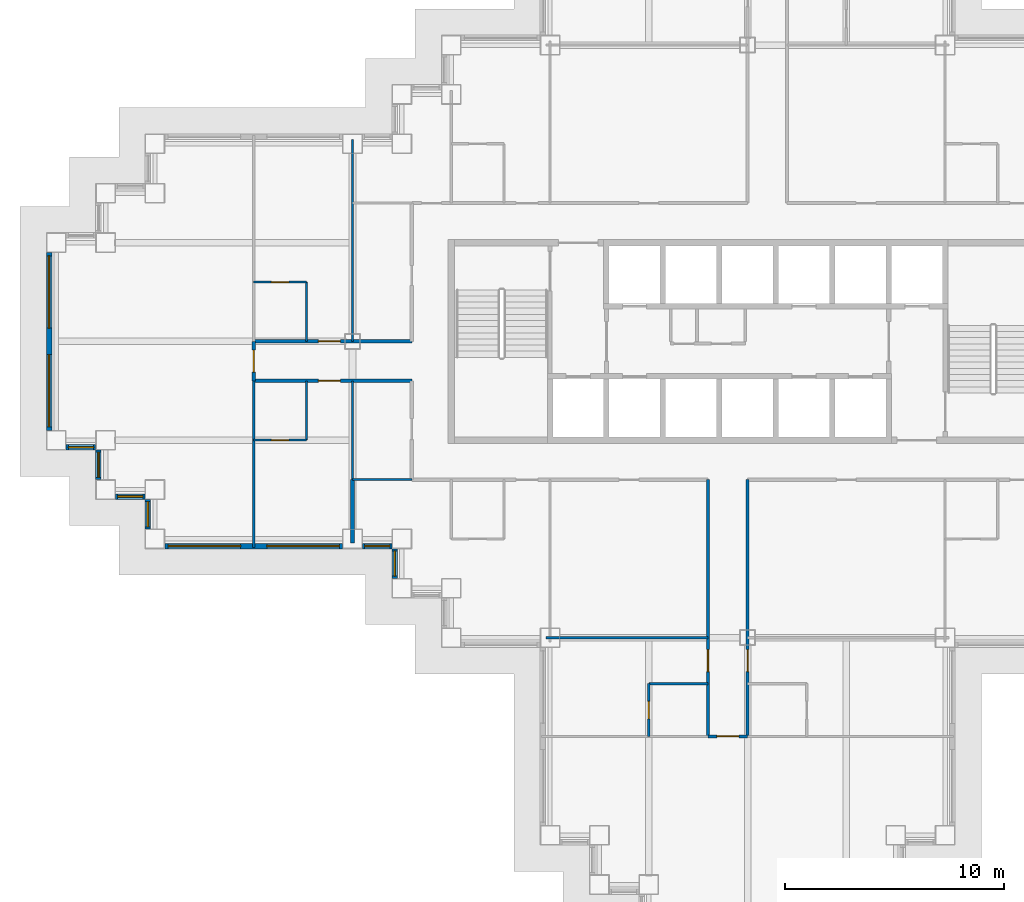
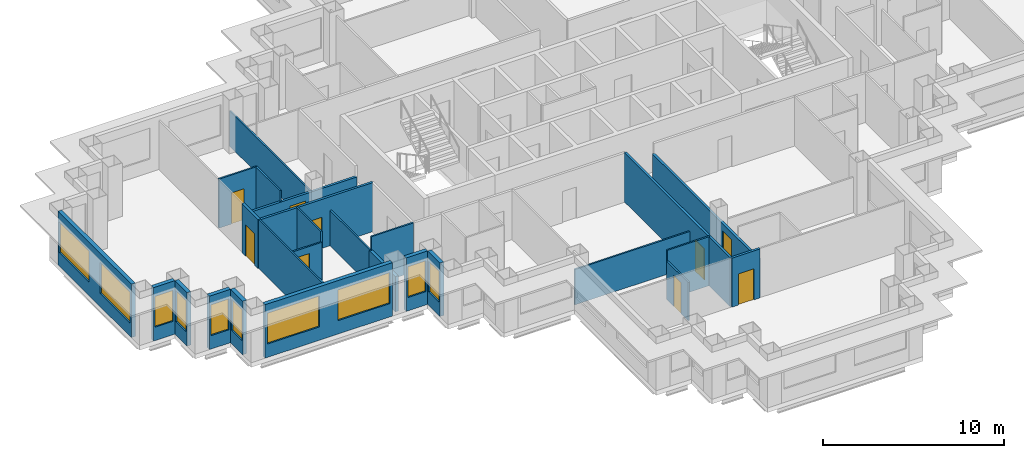
# One storey, part 3 of 14: 26 walls, 10 windows, 9 doors, 19 openings.
"""IFC4 building model written with IfcOpenShell, lengths in metres."""

from ifc_helpers import new_model, si_unit, direction, frame, frame_2d, origin, place, context, subcontext, project, spatial, rectangle, extrude, material, layer, layer_set, type_object, element, fill, save


model = new_model("IFC4")

# Units and contexts
model_context = context("Model", 3, precision=1e-05, world=origin(), true_north=direction((0.0, 1.0)))
body_context = subcontext(model_context, "Body", "Model", "MODEL_VIEW")
ifc_project = project(units=[si_unit("LENGTHUNIT", "METRE"), si_unit("AREAUNIT", "SQUARE_METRE"), si_unit("VOLUMEUNIT", "CUBIC_METRE"), si_unit("PLANEANGLEUNIT", "RADIAN"), si_unit("MASSUNIT", "GRAM", prefix="KILO")], contexts=[model_context])

# Site, building, storey
site_placement = place(None, origin())
site = spatial("IfcSite", under=ifc_project, at=site_placement, CompositionType="ELEMENT")
building_placement = place(site_placement, origin())
building = spatial("IfcBuilding", under=site, at=building_placement, Name="Caravel Reach Hotel and Residences", CompositionType="ELEMENT")
storey_placement = place(building_placement, frame((0.0, 0.0, 118.800048828125)))
storey = spatial("IfcBuildingStorey", under=building, at=storey_placement, Name="L29", CompositionType="ELEMENT", Elevation=118.800048828125)

# Wall
ifc_material_1 = material(Name="Gypsum board on steel stud", Category="steel")
ifc_layer_1 = layer(ifc_material_1, 0.10009765625)
ifc_layer_set_1 = layer_set([ifc_layer_1], Name="Bathroom pod wall 100 mm")
wall_type_1 = type_object("IfcWallType", Name="Bathroom pod wall 100 mm", PredefinedType="PARTITIONING", material=ifc_layer_set_1)
wall_1_placement = place(storey_placement, frame((27.0, 11.39990234375, 0.0), z_axis=(0.0, 0.0, 1.0), x_axis=(1.0, 0.0, 0.0)))
element("IfcWall", 1, at=wall_1_placement, inside=storey, type_object=wall_type_1, Name="L29 wall w068", PredefinedType="PARTITIONING", context=body_context, shape_type="SweptSolid", body=[
    extrude(rectangle(XDim=2.699951171875, YDim=0.10009765625, at=frame_2d((1.35009765625, 0.0))), origin(), (0.0, 0.0, 1.0), 3.300048828125),
])

# Wall, opening, door
wall_2_placement = place(storey_placement, frame((9.0, 22.5, 0.0), z_axis=(0.0, 0.0, 1.0), x_axis=(1.0, 0.0, 0.0)))
wall_2 = element("IfcWall", 2, at=wall_2_placement, inside=storey, type_object=wall_type_1, Name="L29 wall w071", PredefinedType="PARTITIONING", context=body_context, shape_type="SweptSolid", body=[
    extrude(rectangle(XDim=2.39990234375, YDim=0.10009765625, at=frame_2d((1.199951171875, 0.0))), origin(), (0.0, 0.0, 1.0), 2.579833984375),
])
opening_1_placement = place(wall_2_placement, frame((0.800048828125, 0.0, 0.0)))
opening_1 = element("IfcOpeningElement", 3, at=opening_1_placement, cuts=wall_2, Name="Opening D29-017", PredefinedType="OPENING", context=body_context, shape_type="SweptSolid", body=[
    extrude(rectangle(XDim=0.800048828125, YDim=2.10009765625, at=frame_2d((0.39990234375, 1.050048828125))), frame((0.0, 0.06005859375, 0.0), z_axis=(0.0, -1.0, 0.0), x_axis=(1.0, 0.0, 0.0)), (0.0, 0.0, 1.0), 0.1201171875),
])
ifc_material_2 = material(Name="Timber and steel door leaf", Category="steel")
door_type_1 = type_object("IfcDoorType", Name="Bathroom door 800 x 2100", OperationType="SINGLE_SWING_LEFT", PredefinedType="DOOR", material=ifc_material_2)
door_1_placement = place(opening_1_placement, origin())
door_1 = element("IfcDoor", 4, at=door_1_placement, inside=storey, type_object=door_type_1, Name="door D29-017", OperationType="SINGLE_SWING_RIGHT", OverallHeight=2.10009765625, OverallWidth=0.800048828125, PredefinedType="DOOR", context=body_context, shape_type="SweptSolid", body=[
    extrude(rectangle(XDim=0.800048828125, YDim=2.10009765625, at=frame_2d((0.39990234375, 1.050048828125))), frame((0.0, 0.02490234375, 0.0), z_axis=(0.0, -1.0, 0.0), x_axis=(1.0, 0.0, 0.0)), (0.0, 0.0, 1.0), 0.050048828125),
])
fill(opening_1, door_1)

wall_3_placement = place(storey_placement, frame((9.0, 29.699951171875, 0.0), z_axis=(0.0, 0.0, 1.0), x_axis=(1.0, 0.0, 0.0)))
wall_3 = element("IfcWall", 5, at=wall_3_placement, inside=storey, type_object=wall_type_1, Name="L29 wall w073", PredefinedType="PARTITIONING", context=body_context, shape_type="SweptSolid", body=[
    extrude(rectangle(XDim=2.39990234375, YDim=0.10009765625, at=frame_2d((1.199951171875, 0.0))), origin(), (0.0, 0.0, 1.0), 3.300048828125),
])
opening_2_placement = place(wall_3_placement, frame((0.800048828125, 0.0, 0.0)))
opening_2 = element("IfcOpeningElement", 6, at=opening_2_placement, cuts=wall_3, Name="Opening D29-019", PredefinedType="OPENING", context=body_context, shape_type="SweptSolid", body=[
    extrude(rectangle(XDim=0.800048828125, YDim=2.10009765625, at=frame_2d((0.39990234375, 1.050048828125))), frame((0.0, 0.06005859375, 0.0), z_axis=(0.0, -1.0, 0.0), x_axis=(1.0, 0.0, 0.0)), (0.0, 0.0, 1.0), 0.1201171875),
])
door_2_placement = place(opening_2_placement, origin())
door_2 = element("IfcDoor", 7, at=door_2_placement, inside=storey, type_object=door_type_1, Name="door D29-019", OperationType="SINGLE_SWING_LEFT", OverallHeight=2.10009765625, OverallWidth=0.800048828125, PredefinedType="DOOR", context=body_context, shape_type="SweptSolid", body=[
    extrude(rectangle(XDim=0.800048828125, YDim=2.10009765625, at=frame_2d((0.39990234375, 1.050048828125))), frame((0.0, 0.02490234375, 0.0), z_axis=(0.0, -1.0, 0.0), x_axis=(1.0, 0.0, 0.0)), (0.0, 0.0, 1.0), 0.050048828125),
])
fill(opening_2, door_2)

# Walls
for number, where, z_axis, x_axis, name in (
    (8, (11.39990234375, 27.0, 0.0), (0.0, 0.0, 1.0), (0.0, 1.0, 0.0), "L29 wall w080"),
    (9, (11.39990234375, 22.5, 0.0), (0.0, 0.0, 1.0), (0.0, 1.0, 0.0), "L29 wall w081"),
):
    element("IfcWall", number, at=place(storey_placement, frame(where, z_axis=z_axis, x_axis=x_axis)), inside=storey, type_object=wall_type_1, Name=name, PredefinedType="PARTITIONING", context=body_context, shape_type="SweptSolid", body=[
        extrude(rectangle(XDim=2.699951171875, YDim=0.10009765625, at=frame_2d((1.35009765625, 0.0))), origin(), (0.0, 0.0, 1.0), 3.300048828125),
    ])

# Wall, opening, door
wall_4_placement = place(storey_placement, frame((27.0, 9.0, 0.0), z_axis=(0.0, 0.0, 1.0), x_axis=(0.0, 1.0, 0.0)))
wall_4 = element("IfcWall", 10, at=wall_4_placement, inside=storey, type_object=wall_type_1, Name="L29 wall w085", PredefinedType="PARTITIONING", context=body_context, shape_type="SweptSolid", body=[
    extrude(rectangle(XDim=2.39990234375, YDim=0.10009765625, at=frame_2d((1.199951171875, 0.0))), origin(), (0.0, 0.0, 1.0), 2.579833984375),
])
opening_3_placement = place(wall_4_placement, frame((0.800048828125, 0.0, 0.0)))
opening_3 = element("IfcOpeningElement", 11, at=opening_3_placement, cuts=wall_4, Name="Opening D29-032", PredefinedType="OPENING", context=body_context, shape_type="SweptSolid", body=[
    extrude(rectangle(XDim=0.800048828125, YDim=2.10009765625, at=frame_2d((0.39990234375, 1.050048828125))), frame((0.0, 0.06005859375, 0.0), z_axis=(0.0, -1.0, 0.0), x_axis=(1.0, 0.0, 0.0)), (0.0, 0.0, 1.0), 0.1201171875),
])
door_3_placement = place(opening_3_placement, origin())
door_3 = element("IfcDoor", 12, at=door_3_placement, inside=storey, type_object=door_type_1, Name="door D29-032", OperationType="SINGLE_SWING_RIGHT", OverallHeight=2.10009765625, OverallWidth=0.800048828125, PredefinedType="DOOR", context=body_context, shape_type="SweptSolid", body=[
    extrude(rectangle(XDim=0.800048828125, YDim=2.10009765625, at=frame_2d((0.39990234375, 1.050048828125))), frame((0.0, 0.02490234375, 0.0), z_axis=(0.0, -1.0, 0.0), x_axis=(1.0, 0.0, 0.0)), (0.0, 0.0, 1.0), 0.050048828125),
])
fill(opening_3, door_3)

ifc_material_3 = material(Name="Gypsum board on steel stud, fire-rated", Category="steel")
ifc_layer_2 = layer(ifc_material_3, 0.14990234375)
ifc_layer_set_2 = layer_set([ifc_layer_2], Name="Corridor wall 150 mm EI 60")
wall_type_2 = type_object("IfcWallType", Name="Corridor wall 150 mm EI 60", PredefinedType="PARTITIONING", material=ifc_layer_set_2)
wall_5_placement = place(storey_placement, frame((9.0, 25.199951171875, 0.0), z_axis=(0.0, 0.0, 1.0), x_axis=(1.0, 0.0, 0.0)))
wall_5 = element("IfcWall", 13, at=wall_5_placement, inside=storey, type_object=wall_type_2, Name="L29 wall w006", PredefinedType="PARTITIONING", context=body_context, shape_type="SweptSolid", body=[
    extrude(rectangle(XDim=7.199951171875, YDim=0.14990234375, at=frame_2d((3.60009765625, 0.0))), origin(), (0.0, 0.0, 1.0), 3.300048828125),
])
opening_4_placement = place(wall_5_placement, frame((2.949951171875, 0.0, 0.0)))
opening_4 = element("IfcOpeningElement", 14, at=opening_4_placement, cuts=wall_5, Name="Opening D29-016", PredefinedType="OPENING", context=body_context, shape_type="SweptSolid", body=[
    extrude(rectangle(XDim=1.0, YDim=2.10009765625, at=frame_2d((0.5, 1.050048828125))), frame((0.0, 0.0849609375, 0.0), z_axis=(0.0, -1.0, 0.0), x_axis=(1.0, 0.0, 0.0)), (0.0, 0.0, 1.0), 0.169921875),
])
ifc_material_4 = material(Name="Steel fire door leaf", Category="steel")
door_type_2 = type_object("IfcDoorType", Name="Guest room door 1000 x 2100 EI 30", OperationType="SINGLE_SWING_LEFT", PredefinedType="DOOR", material=ifc_material_4)
door_4_placement = place(opening_4_placement, origin())
door_4 = element("IfcDoor", 15, at=door_4_placement, inside=storey, type_object=door_type_2, Name="door D29-016", OperationType="SINGLE_SWING_RIGHT", OverallHeight=2.10009765625, OverallWidth=1.0, PredefinedType="DOOR", context=body_context, shape_type="SweptSolid", body=[
    extrude(rectangle(XDim=1.0, YDim=2.10009765625, at=frame_2d((0.5, 1.050048828125))), frame((0.0, 0.02490234375, 0.0), z_axis=(0.0, -1.0, 0.0), x_axis=(1.0, 0.0, 0.0)), (0.0, 0.0, 1.0), 0.050048828125),
])
fill(opening_4, door_4)

wall_6_placement = place(storey_placement, frame((9.0, 27.0, 0.0), z_axis=(0.0, 0.0, 1.0), x_axis=(1.0, 0.0, 0.0)))
wall_6 = element("IfcWall", 16, at=wall_6_placement, inside=storey, type_object=wall_type_2, Name="L29 wall w009", PredefinedType="PARTITIONING", context=body_context, shape_type="SweptSolid", body=[
    extrude(rectangle(XDim=7.199951171875, YDim=0.14990234375, at=frame_2d((3.60009765625, 0.0))), origin(), (0.0, 0.0, 1.0), 2.579833984375),
])
opening_5_placement = place(wall_6_placement, frame((2.949951171875, 0.0, 0.0)))
opening_5 = element("IfcOpeningElement", 17, at=opening_5_placement, cuts=wall_6, Name="Opening D29-018", PredefinedType="OPENING", context=body_context, shape_type="SweptSolid", body=[
    extrude(rectangle(XDim=1.0, YDim=2.10009765625, at=frame_2d((0.5, 1.050048828125))), frame((0.0, 0.0849609375, 0.0), z_axis=(0.0, -1.0, 0.0), x_axis=(1.0, 0.0, 0.0)), (0.0, 0.0, 1.0), 0.169921875),
])
door_5_placement = place(opening_5_placement, origin())
door_5 = element("IfcDoor", 18, at=door_5_placement, inside=storey, type_object=door_type_2, Name="door D29-018", OperationType="SINGLE_SWING_RIGHT", OverallHeight=2.10009765625, OverallWidth=1.0, PredefinedType="DOOR", context=body_context, shape_type="SweptSolid", body=[
    extrude(rectangle(XDim=1.0, YDim=2.10009765625, at=frame_2d((0.5, 1.050048828125))), frame((0.0, 0.02490234375, 0.0), z_axis=(0.0, -1.0, 0.0), x_axis=(1.0, 0.0, 0.0)), (0.0, 0.0, 1.0), 0.050048828125),
])
fill(opening_5, door_5)

wall_7_placement = place(storey_placement, frame((29.699951171875, 9.0, 0.0), z_axis=(0.0, 0.0, 1.0), x_axis=(1.0, 0.0, 0.0)))
wall_7 = element("IfcWall", 19, at=wall_7_placement, inside=storey, type_object=wall_type_2, Name="L29 wall w020", PredefinedType="PARTITIONING", context=body_context, shape_type="SweptSolid", body=[
    extrude(rectangle(XDim=1.800048828125, YDim=0.14990234375, at=frame_2d((0.89990234375, 0.0))), origin(), (0.0, 0.0, 1.0), 3.300048828125),
])
opening_6_placement = place(wall_7_placement, frame((0.39990234375, 0.0, 0.0)))
opening_6 = element("IfcOpeningElement", 20, at=opening_6_placement, cuts=wall_7, Name="Opening D29-038", PredefinedType="OPENING", context=body_context, shape_type="SweptSolid", body=[
    extrude(rectangle(XDim=1.0, YDim=2.10009765625, at=frame_2d((0.5, 1.050048828125))), frame((0.0, 0.0849609375, 0.0), z_axis=(0.0, -1.0, 0.0), x_axis=(1.0, 0.0, 0.0)), (0.0, 0.0, 1.0), 0.169921875),
])
door_6_placement = place(opening_6_placement, origin())
door_6 = element("IfcDoor", 21, at=door_6_placement, inside=storey, type_object=door_type_2, Name="door D29-038", OperationType="SINGLE_SWING_RIGHT", OverallHeight=2.10009765625, OverallWidth=1.0, PredefinedType="DOOR", context=body_context, shape_type="SweptSolid", body=[
    extrude(rectangle(XDim=1.0, YDim=2.10009765625, at=frame_2d((0.5, 1.050048828125))), frame((0.0, 0.02490234375, 0.0), z_axis=(0.0, -1.0, 0.0), x_axis=(1.0, 0.0, 0.0)), (0.0, 0.0, 1.0), 0.050048828125),
])
fill(opening_6, door_6)

wall_8_placement = place(storey_placement, frame((29.699951171875, 9.0, 0.0), z_axis=(0.0, 0.0, 1.0), x_axis=(0.0, 1.0, 0.0)))
wall_8 = element("IfcWall", 22, at=wall_8_placement, inside=storey, type_object=wall_type_2, Name="L29 wall w023", PredefinedType="PARTITIONING", context=body_context, shape_type="SweptSolid", body=[
    extrude(rectangle(XDim=11.699951171875, YDim=0.14990234375, at=frame_2d((5.85009765625, 0.0))), origin(), (0.0, 0.0, 1.0), 3.300048828125),
])
opening_7_placement = place(wall_8_placement, frame((2.949951171875, 0.0, 0.0)))
opening_7 = element("IfcOpeningElement", 23, at=opening_7_placement, cuts=wall_8, Name="Opening D29-031", PredefinedType="OPENING", context=body_context, shape_type="SweptSolid", body=[
    extrude(rectangle(XDim=1.0, YDim=2.10009765625, at=frame_2d((0.5, 1.050048828125))), frame((0.0, 0.0849609375, 0.0), z_axis=(0.0, -1.0, 0.0), x_axis=(1.0, 0.0, 0.0)), (0.0, 0.0, 1.0), 0.169921875),
])
door_7_placement = place(opening_7_placement, origin())
door_7 = element("IfcDoor", 24, at=door_7_placement, inside=storey, type_object=door_type_2, Name="door D29-031", OperationType="SINGLE_SWING_RIGHT", OverallHeight=2.10009765625, OverallWidth=1.0, PredefinedType="DOOR", context=body_context, shape_type="SweptSolid", body=[
    extrude(rectangle(XDim=1.0, YDim=2.10009765625, at=frame_2d((0.5, 1.050048828125))), frame((0.0, 0.02490234375, 0.0), z_axis=(0.0, -1.0, 0.0), x_axis=(1.0, 0.0, 0.0)), (0.0, 0.0, 1.0), 0.050048828125),
])
fill(opening_7, door_7)

wall_9_placement = place(storey_placement, frame((31.5, 9.0, 0.0), z_axis=(0.0, 0.0, 1.0), x_axis=(0.0, 1.0, 0.0)))
wall_9 = element("IfcWall", 25, at=wall_9_placement, inside=storey, type_object=wall_type_2, Name="L29 wall w025", PredefinedType="PARTITIONING", context=body_context, shape_type="SweptSolid", body=[
    extrude(rectangle(XDim=11.699951171875, YDim=0.14990234375, at=frame_2d((5.85009765625, 0.0))), origin(), (0.0, 0.0, 1.0), 2.579833984375),
])
opening_8_placement = place(wall_9_placement, frame((2.949951171875, 0.0, 0.0)))
opening_8 = element("IfcOpeningElement", 26, at=opening_8_placement, cuts=wall_9, Name="Opening D29-033", PredefinedType="OPENING", context=body_context, shape_type="SweptSolid", body=[
    extrude(rectangle(XDim=1.0, YDim=2.10009765625, at=frame_2d((0.5, 1.050048828125))), frame((0.0, 0.0849609375, 0.0), z_axis=(0.0, -1.0, 0.0), x_axis=(1.0, 0.0, 0.0)), (0.0, 0.0, 1.0), 0.169921875),
])
door_8_placement = place(opening_8_placement, origin())
door_8 = element("IfcDoor", 27, at=door_8_placement, inside=storey, type_object=door_type_2, Name="door D29-033", OperationType="SINGLE_SWING_RIGHT", OverallHeight=2.10009765625, OverallWidth=1.0, PredefinedType="DOOR", context=body_context, shape_type="SweptSolid", body=[
    extrude(rectangle(XDim=1.0, YDim=2.10009765625, at=frame_2d((0.5, 1.050048828125))), frame((0.0, 0.02490234375, 0.0), z_axis=(0.0, -1.0, 0.0), x_axis=(1.0, 0.0, 0.0)), (0.0, 0.0, 1.0), 0.050048828125),
])
fill(opening_8, door_8)

wall_10_placement = place(storey_placement, frame((9.0, 25.199951171875, 0.0), z_axis=(0.0, 0.0, 1.0), x_axis=(0.0, 1.0, 0.0)))
wall_10 = element("IfcWall", 28, at=wall_10_placement, inside=storey, type_object=wall_type_2, Name="L29 wall w036", PredefinedType="PARTITIONING", context=body_context, shape_type="SweptSolid", body=[
    extrude(rectangle(XDim=1.800048828125, YDim=0.14990234375, at=frame_2d((0.89990234375, 0.0))), origin(), (0.0, 0.0, 1.0), 3.300048828125),
])
opening_9_placement = place(wall_10_placement, frame((0.39990234375, 0.0, 0.0)))
opening_9 = element("IfcOpeningElement", 29, at=opening_9_placement, cuts=wall_10, Name="Opening D29-035", PredefinedType="OPENING", context=body_context, shape_type="SweptSolid", body=[
    extrude(rectangle(XDim=1.0, YDim=2.10009765625, at=frame_2d((0.5, 1.050048828125))), frame((0.0, 0.0849609375, 0.0), z_axis=(0.0, -1.0, 0.0), x_axis=(1.0, 0.0, 0.0)), (0.0, 0.0, 1.0), 0.169921875),
])
door_9_placement = place(opening_9_placement, origin())
door_9 = element("IfcDoor", 30, at=door_9_placement, inside=storey, type_object=door_type_2, Name="door D29-035", OperationType="SINGLE_SWING_RIGHT", OverallHeight=2.10009765625, OverallWidth=1.0, PredefinedType="DOOR", context=body_context, shape_type="SweptSolid", body=[
    extrude(rectangle(XDim=1.0, YDim=2.10009765625, at=frame_2d((0.5, 1.050048828125))), frame((0.0, 0.02490234375, 0.0), z_axis=(0.0, -1.0, 0.0), x_axis=(1.0, 0.0, 0.0)), (0.0, 0.0, 1.0), 0.050048828125),
])
fill(opening_9, door_9)

# Wall, openings, windows
ifc_material_5 = material(Name="Insulated rainscreen wall, aluminium cladding", Category="aluminium")
ifc_layer_3 = layer(ifc_material_5, 0.25)
ifc_layer_set_3 = layer_set([ifc_layer_3], Name="EW1 Tower rainscreen wall")
wall_type_3 = type_object("IfcWallType", Name="EW1 Tower rainscreen wall", PredefinedType="SOLIDWALL", material=ifc_layer_set_3)
wall_11_placement = place(storey_placement, frame((-0.324951171875, 31.050048828125, 0.0), z_axis=(0.0, 0.0, 1.0), x_axis=(0.0, -1.0, 0.0)))
wall_11 = element("IfcWall", 31, at=wall_11_placement, inside=storey, type_object=wall_type_3, Name="External wall L29 W50.1", PredefinedType="SOLIDWALL", context=body_context, shape_type="SweptSolid", body=[
    extrude(rectangle(XDim=8.10009765625, YDim=0.25, at=frame_2d((4.050048828125, 0.0))), origin(), (0.0, 0.0, 1.0), 3.599853515625),
])
opening_10_placement = place(wall_11_placement, frame((0.14990234375, 0.0, 0.89990234375)))
opening_10 = element("IfcOpeningElement", 32, at=opening_10_placement, cuts=wall_11, Name="Opening WN4", PredefinedType="OPENING", context=body_context, shape_type="SweptSolid", body=[
    extrude(rectangle(XDim=3.300048828125, YDim=2.080078125, at=frame_2d((1.64990234375, 1.0400390625))), frame((0.0, 0.135009765625, 0.0), z_axis=(0.0, -1.0, 0.0), x_axis=(1.0, 0.0, 0.0)), (0.0, 0.0, 1.0), 0.27001953125),
])
opening_11_placement = place(wall_11_placement, frame((4.64990234375, 0.0, 0.89990234375)))
opening_11 = element("IfcOpeningElement", 33, at=opening_11_placement, cuts=wall_11, Name="Opening WN4", PredefinedType="OPENING", context=body_context, shape_type="SweptSolid", body=[
    extrude(rectangle(XDim=3.300048828125, YDim=2.080078125, at=frame_2d((1.64990234375, 1.0400390625))), frame((0.0, 0.135009765625, 0.0), z_axis=(0.0, -1.0, 0.0), x_axis=(1.0, 0.0, 0.0)), (0.0, 0.0, 1.0), 0.27001953125),
])
ifc_material_6 = material(Name="Dark low-e glazing in black aluminium frame", Category="aluminium")
window_type_1 = type_object("IfcWindowType", Name="Hotel guest room window 3300 x 2080", PartitioningType="SINGLE_PANEL", PredefinedType="WINDOW", material=ifc_material_6)
window_1_placement = place(opening_10_placement, origin())
window_1 = element("IfcWindow", 34, at=window_1_placement, inside=storey, type_object=window_type_1, Name="Window L29 W50.1.1", OverallHeight=2.080078125, OverallWidth=3.300048828125, PartitioningType="SINGLE_PANEL", PredefinedType="WINDOW", context=body_context, shape_type="SweptSolid", body=[
    extrude(rectangle(XDim=3.300048828125, YDim=2.080078125, at=frame_2d((1.64990234375, 1.0400390625))), frame((0.0, 0.030029296875, 0.0), z_axis=(0.0, -1.0, 0.0), x_axis=(1.0, 0.0, 0.0)), (0.0, 0.0, 1.0), 0.06005859375),
])
fill(opening_10, window_1)
window_2_placement = place(opening_11_placement, origin())
window_2 = element("IfcWindow", 35, at=window_2_placement, inside=storey, type_object=window_type_1, Name="Window L29 W50.1.2", OverallHeight=2.080078125, OverallWidth=3.300048828125, PartitioningType="SINGLE_PANEL", PredefinedType="WINDOW", context=body_context, shape_type="SweptSolid", body=[
    extrude(rectangle(XDim=3.300048828125, YDim=2.080078125, at=frame_2d((1.64990234375, 1.0400390625))), frame((0.0, 0.030029296875, 0.0), z_axis=(0.0, -1.0, 0.0), x_axis=(1.0, 0.0, 0.0)), (0.0, 0.0, 1.0), 0.06005859375),
])
fill(opening_11, window_2)

# Wall, opening, window
wall_12_placement = place(storey_placement, frame((0.449951171875, 22.175048828125, 0.0), z_axis=(0.0, 0.0, 1.0), x_axis=(1.0, 0.0, 0.0)))
wall_12 = element("IfcWall", 36, at=wall_12_placement, inside=storey, type_object=wall_type_3, Name="External wall L29 S51.1", PredefinedType="SOLIDWALL", context=body_context, shape_type="SweptSolid", body=[
    extrude(rectangle(XDim=1.35009765625, YDim=0.25, at=frame_2d((0.675048828125, 0.0))), origin(), (0.0, 0.0, 1.0), 3.599853515625),
])
opening_12_placement = place(wall_12_placement, frame((0.10009765625, 0.0, 0.89990234375)))
opening_12 = element("IfcOpeningElement", 37, at=opening_12_placement, cuts=wall_12, Name="Opening WN8", PredefinedType="OPENING", context=body_context, shape_type="SweptSolid", body=[
    extrude(rectangle(XDim=1.14990234375, YDim=2.080078125, at=frame_2d((0.574951171875, 1.0400390625))), frame((0.0, 0.135009765625, 0.0), z_axis=(0.0, -1.0, 0.0), x_axis=(1.0, 0.0, 0.0)), (0.0, 0.0, 1.0), 0.27001953125),
])
ifc_material_7 = material(Name="Dark low-e glazing in black aluminium frame", Category="aluminium")
window_type_2 = type_object("IfcWindowType", Name="Hotel suite corner window 1150 x 2080", PartitioningType="SINGLE_PANEL", PredefinedType="WINDOW", material=ifc_material_7)
window_3_placement = place(opening_12_placement, origin())
window_3 = element("IfcWindow", 38, at=window_3_placement, inside=storey, type_object=window_type_2, Name="Window L29 S51.1.1", OverallHeight=2.080078125, OverallWidth=1.14990234375, PartitioningType="SINGLE_PANEL", PredefinedType="WINDOW", context=body_context, shape_type="SweptSolid", body=[
    extrude(rectangle(XDim=1.14990234375, YDim=2.080078125, at=frame_2d((0.574951171875, 1.0400390625))), frame((0.0, 0.030029296875, 0.0), z_axis=(0.0, -1.0, 0.0), x_axis=(1.0, 0.0, 0.0)), (0.0, 0.0, 1.0), 0.06005859375),
])
fill(opening_12, window_3)

wall_13_placement = place(storey_placement, frame((1.925048828125, 22.050048828125, 0.0), z_axis=(0.0, 0.0, 1.0), x_axis=(0.0, -1.0, 0.0)))
wall_13 = element("IfcWall", 39, at=wall_13_placement, inside=storey, type_object=wall_type_3, Name="External wall L29 W52.1", PredefinedType="SOLIDWALL", context=body_context, shape_type="SweptSolid", body=[
    extrude(rectangle(XDim=1.35009765625, YDim=0.25, at=frame_2d((0.675048828125, 0.0))), origin(), (0.0, 0.0, 1.0), 3.599853515625),
])
opening_13_placement = place(wall_13_placement, frame((0.10009765625, 0.0, 0.89990234375)))
opening_13 = element("IfcOpeningElement", 40, at=opening_13_placement, cuts=wall_13, Name="Opening WN8", PredefinedType="OPENING", context=body_context, shape_type="SweptSolid", body=[
    extrude(rectangle(XDim=1.14990234375, YDim=2.080078125, at=frame_2d((0.574951171875, 1.0400390625))), frame((0.0, 0.135009765625, 0.0), z_axis=(0.0, -1.0, 0.0), x_axis=(1.0, 0.0, 0.0)), (0.0, 0.0, 1.0), 0.27001953125),
])
window_4_placement = place(opening_13_placement, origin())
window_4 = element("IfcWindow", 41, at=window_4_placement, inside=storey, type_object=window_type_2, Name="Window L29 W52.1.1", OverallHeight=2.080078125, OverallWidth=1.14990234375, PartitioningType="SINGLE_PANEL", PredefinedType="WINDOW", context=body_context, shape_type="SweptSolid", body=[
    extrude(rectangle(XDim=1.14990234375, YDim=2.080078125, at=frame_2d((0.574951171875, 1.0400390625))), frame((0.0, 0.030029296875, 0.0), z_axis=(0.0, -1.0, 0.0), x_axis=(1.0, 0.0, 0.0)), (0.0, 0.0, 1.0), 0.06005859375),
])
fill(opening_13, window_4)

wall_14_placement = place(storey_placement, frame((2.699951171875, 19.925048828125, 0.0), z_axis=(0.0, 0.0, 1.0), x_axis=(1.0, 0.0, 0.0)))
wall_14 = element("IfcWall", 42, at=wall_14_placement, inside=storey, type_object=wall_type_3, Name="External wall L29 S53.1", PredefinedType="SOLIDWALL", context=body_context, shape_type="SweptSolid", body=[
    extrude(rectangle(XDim=1.35009765625, YDim=0.25, at=frame_2d((0.675048828125, 0.0))), origin(), (0.0, 0.0, 1.0), 3.599853515625),
])
opening_14_placement = place(wall_14_placement, frame((0.10009765625, 0.0, 0.89990234375)))
opening_14 = element("IfcOpeningElement", 43, at=opening_14_placement, cuts=wall_14, Name="Opening WN8", PredefinedType="OPENING", context=body_context, shape_type="SweptSolid", body=[
    extrude(rectangle(XDim=1.14990234375, YDim=2.080078125, at=frame_2d((0.574951171875, 1.0400390625))), frame((0.0, 0.135009765625, 0.0), z_axis=(0.0, -1.0, 0.0), x_axis=(1.0, 0.0, 0.0)), (0.0, 0.0, 1.0), 0.27001953125),
])
window_5_placement = place(opening_14_placement, origin())
window_5 = element("IfcWindow", 44, at=window_5_placement, inside=storey, type_object=window_type_2, Name="Window L29 S53.1.1", OverallHeight=2.080078125, OverallWidth=1.14990234375, PartitioningType="SINGLE_PANEL", PredefinedType="WINDOW", context=body_context, shape_type="SweptSolid", body=[
    extrude(rectangle(XDim=1.14990234375, YDim=2.080078125, at=frame_2d((0.574951171875, 1.0400390625))), frame((0.0, 0.030029296875, 0.0), z_axis=(0.0, -1.0, 0.0), x_axis=(1.0, 0.0, 0.0)), (0.0, 0.0, 1.0), 0.06005859375),
])
fill(opening_14, window_5)

wall_15_placement = place(storey_placement, frame((4.175048828125, 19.800048828125, 0.0), z_axis=(0.0, 0.0, 1.0), x_axis=(0.0, -1.0, 0.0)))
wall_15 = element("IfcWall", 45, at=wall_15_placement, inside=storey, type_object=wall_type_3, Name="External wall L29 W54.1", PredefinedType="SOLIDWALL", context=body_context, shape_type="SweptSolid", body=[
    extrude(rectangle(XDim=1.35009765625, YDim=0.25, at=frame_2d((0.675048828125, 0.0))), origin(), (0.0, 0.0, 1.0), 3.599853515625),
])
opening_15_placement = place(wall_15_placement, frame((0.10009765625, 0.0, 0.89990234375)))
opening_15 = element("IfcOpeningElement", 46, at=opening_15_placement, cuts=wall_15, Name="Opening WN8", PredefinedType="OPENING", context=body_context, shape_type="SweptSolid", body=[
    extrude(rectangle(XDim=1.14990234375, YDim=2.080078125, at=frame_2d((0.574951171875, 1.0400390625))), frame((0.0, 0.135009765625, 0.0), z_axis=(0.0, -1.0, 0.0), x_axis=(1.0, 0.0, 0.0)), (0.0, 0.0, 1.0), 0.27001953125),
])
window_6_placement = place(opening_15_placement, origin())
window_6 = element("IfcWindow", 47, at=window_6_placement, inside=storey, type_object=window_type_2, Name="Window L29 W54.1.1", OverallHeight=2.080078125, OverallWidth=1.14990234375, PartitioningType="SINGLE_PANEL", PredefinedType="WINDOW", context=body_context, shape_type="SweptSolid", body=[
    extrude(rectangle(XDim=1.14990234375, YDim=2.080078125, at=frame_2d((0.574951171875, 1.0400390625))), frame((0.0, 0.030029296875, 0.0), z_axis=(0.0, -1.0, 0.0), x_axis=(1.0, 0.0, 0.0)), (0.0, 0.0, 1.0), 0.06005859375),
])
fill(opening_15, window_6)

# Wall, openings, windows
wall_16_placement = place(storey_placement, frame((4.949951171875, 17.675048828125, 0.0), z_axis=(0.0, 0.0, 1.0), x_axis=(1.0, 0.0, 0.0)))
wall_16 = element("IfcWall", 48, at=wall_16_placement, inside=storey, type_object=wall_type_3, Name="External wall L29 S55.1", PredefinedType="SOLIDWALL", context=body_context, shape_type="SweptSolid", body=[
    extrude(rectangle(XDim=8.10009765625, YDim=0.25, at=frame_2d((4.050048828125, 0.0))), origin(), (0.0, 0.0, 1.0), 3.599853515625),
])
opening_16_placement = place(wall_16_placement, frame((0.14990234375, 0.0, 0.89990234375)))
opening_16 = element("IfcOpeningElement", 49, at=opening_16_placement, cuts=wall_16, Name="Opening WN4", PredefinedType="OPENING", context=body_context, shape_type="SweptSolid", body=[
    extrude(rectangle(XDim=3.300048828125, YDim=2.080078125, at=frame_2d((1.64990234375, 1.0400390625))), frame((0.0, 0.135009765625, 0.0), z_axis=(0.0, -1.0, 0.0), x_axis=(1.0, 0.0, 0.0)), (0.0, 0.0, 1.0), 0.27001953125),
])
opening_17_placement = place(wall_16_placement, frame((4.64990234375, 0.0, 0.89990234375)))
opening_17 = element("IfcOpeningElement", 50, at=opening_17_placement, cuts=wall_16, Name="Opening WN4", PredefinedType="OPENING", context=body_context, shape_type="SweptSolid", body=[
    extrude(rectangle(XDim=3.300048828125, YDim=2.080078125, at=frame_2d((1.64990234375, 1.0400390625))), frame((0.0, 0.135009765625, 0.0), z_axis=(0.0, -1.0, 0.0), x_axis=(1.0, 0.0, 0.0)), (0.0, 0.0, 1.0), 0.27001953125),
])
window_7_placement = place(opening_16_placement, origin())
window_7 = element("IfcWindow", 51, at=window_7_placement, inside=storey, type_object=window_type_1, Name="Window L29 S55.1.1", OverallHeight=2.080078125, OverallWidth=3.300048828125, PartitioningType="SINGLE_PANEL", PredefinedType="WINDOW", context=body_context, shape_type="SweptSolid", body=[
    extrude(rectangle(XDim=3.300048828125, YDim=2.080078125, at=frame_2d((1.64990234375, 1.0400390625))), frame((0.0, 0.030029296875, 0.0), z_axis=(0.0, -1.0, 0.0), x_axis=(1.0, 0.0, 0.0)), (0.0, 0.0, 1.0), 0.06005859375),
])
fill(opening_16, window_7)
window_8_placement = place(opening_17_placement, origin())
window_8 = element("IfcWindow", 52, at=window_8_placement, inside=storey, type_object=window_type_1, Name="Window L29 S55.1.2", OverallHeight=2.080078125, OverallWidth=3.300048828125, PartitioningType="SINGLE_PANEL", PredefinedType="WINDOW", context=body_context, shape_type="SweptSolid", body=[
    extrude(rectangle(XDim=3.300048828125, YDim=2.080078125, at=frame_2d((1.64990234375, 1.0400390625))), frame((0.0, 0.030029296875, 0.0), z_axis=(0.0, -1.0, 0.0), x_axis=(1.0, 0.0, 0.0)), (0.0, 0.0, 1.0), 0.06005859375),
])
fill(opening_17, window_8)

# Wall, opening, window
wall_17_placement = place(storey_placement, frame((13.949951171875, 17.675048828125, 0.0), z_axis=(0.0, 0.0, 1.0), x_axis=(1.0, 0.0, 0.0)))
wall_17 = element("IfcWall", 53, at=wall_17_placement, inside=storey, type_object=wall_type_3, Name="External wall L29 S55.2", PredefinedType="SOLIDWALL", context=body_context, shape_type="SweptSolid", body=[
    extrude(rectangle(XDim=1.35009765625, YDim=0.25, at=frame_2d((0.675048828125, 0.0))), origin(), (0.0, 0.0, 1.0), 3.599853515625),
])
opening_18_placement = place(wall_17_placement, frame((0.10009765625, 0.0, 0.89990234375)))
opening_18 = element("IfcOpeningElement", 54, at=opening_18_placement, cuts=wall_17, Name="Opening WN8", PredefinedType="OPENING", context=body_context, shape_type="SweptSolid", body=[
    extrude(rectangle(XDim=1.14990234375, YDim=2.080078125, at=frame_2d((0.574951171875, 1.0400390625))), frame((0.0, 0.135009765625, 0.0), z_axis=(0.0, -1.0, 0.0), x_axis=(1.0, 0.0, 0.0)), (0.0, 0.0, 1.0), 0.27001953125),
])
window_9_placement = place(opening_18_placement, origin())
window_9 = element("IfcWindow", 55, at=window_9_placement, inside=storey, type_object=window_type_2, Name="Window L29 S55.2.1", OverallHeight=2.080078125, OverallWidth=1.14990234375, PartitioningType="SINGLE_PANEL", PredefinedType="WINDOW", context=body_context, shape_type="SweptSolid", body=[
    extrude(rectangle(XDim=1.14990234375, YDim=2.080078125, at=frame_2d((0.574951171875, 1.0400390625))), frame((0.0, 0.030029296875, 0.0), z_axis=(0.0, -1.0, 0.0), x_axis=(1.0, 0.0, 0.0)), (0.0, 0.0, 1.0), 0.06005859375),
])
fill(opening_18, window_9)

wall_18_placement = place(storey_placement, frame((15.425048828125, 17.550048828125, 0.0), z_axis=(0.0, 0.0, 1.0), x_axis=(0.0, -1.0, 0.0)))
wall_18 = element("IfcWall", 56, at=wall_18_placement, inside=storey, type_object=wall_type_3, Name="External wall L29 W56.1", PredefinedType="SOLIDWALL", context=body_context, shape_type="SweptSolid", body=[
    extrude(rectangle(XDim=1.35009765625, YDim=0.25, at=frame_2d((0.675048828125, 0.0))), origin(), (0.0, 0.0, 1.0), 3.599853515625),
])
opening_19_placement = place(wall_18_placement, frame((0.10009765625, 0.0, 0.89990234375)))
opening_19 = element("IfcOpeningElement", 57, at=opening_19_placement, cuts=wall_18, Name="Opening WN8", PredefinedType="OPENING", context=body_context, shape_type="SweptSolid", body=[
    extrude(rectangle(XDim=1.14990234375, YDim=2.080078125, at=frame_2d((0.574951171875, 1.0400390625))), frame((0.0, 0.135009765625, 0.0), z_axis=(0.0, -1.0, 0.0), x_axis=(1.0, 0.0, 0.0)), (0.0, 0.0, 1.0), 0.27001953125),
])
window_10_placement = place(opening_19_placement, origin())
window_10 = element("IfcWindow", 58, at=window_10_placement, inside=storey, type_object=window_type_2, Name="Window L29 W56.1.1", OverallHeight=2.080078125, OverallWidth=1.14990234375, PartitioningType="SINGLE_PANEL", PredefinedType="WINDOW", context=body_context, shape_type="SweptSolid", body=[
    extrude(rectangle(XDim=1.14990234375, YDim=2.080078125, at=frame_2d((0.574951171875, 1.0400390625))), frame((0.0, 0.030029296875, 0.0), z_axis=(0.0, -1.0, 0.0), x_axis=(1.0, 0.0, 0.0)), (0.0, 0.0, 1.0), 0.06005859375),
])
fill(opening_19, window_10)

# Walls
ifc_material_8 = material(Name="Gypsum board on steel stud", Category="steel")
ifc_layer_4 = layer(ifc_material_8, 0.10009765625)
ifc_layer_set_4 = layer_set([ifc_layer_4], Name="Partition 100 mm")
wall_type_4 = type_object("IfcWallType", Name="Partition 100 mm", PredefinedType="PARTITIONING", material=ifc_layer_set_4)
wall_19_placement = place(storey_placement, frame((22.31005859375, 13.5, 0.0), z_axis=(0.0, 0.0, 1.0), x_axis=(1.0, 0.0, 0.0)))
element("IfcWall", 59, at=wall_19_placement, inside=storey, type_object=wall_type_4, Name="L29 wall w038", PredefinedType="PARTITIONING", context=body_context, shape_type="SweptSolid", body=[
    extrude(rectangle(XDim=7.389892578125, YDim=0.10009765625, at=frame_2d((3.69482421875, 0.0))), origin(), (0.0, 0.0, 1.0), 2.3798828125),
])
wall_20_placement = place(storey_placement, frame((13.5, 20.699951171875, 0.0), z_axis=(0.0, 0.0, 1.0), x_axis=(1.0, 0.0, 0.0)))
element("IfcWall", 60, at=wall_20_placement, inside=storey, type_object=wall_type_4, Name="L29 wall w039", PredefinedType="PARTITIONING", context=body_context, shape_type="SweptSolid", body=[
    extrude(rectangle(XDim=2.699951171875, YDim=0.10009765625, at=frame_2d((1.35009765625, 0.0))), origin(), (0.0, 0.0, 1.0), 3.300048828125),
])
wall_21_placement = place(storey_placement, frame((13.5, 27.0, 0.0), z_axis=(0.0, 0.0, 1.0), x_axis=(0.0, 1.0, 0.0)))
element("IfcWall", 61, at=wall_21_placement, inside=storey, type_object=wall_type_4, Name="L29 wall w049", PredefinedType="PARTITIONING", context=body_context, shape_type="SweptSolid", body=[
    extrude(rectangle(XDim=9.18994140625, YDim=0.10009765625, at=frame_2d((4.594970703125, 0.0))), origin(), (0.0, 0.0, 1.0), 2.3798828125),
])
wall_22_placement = place(storey_placement, frame((13.5, 20.699951171875, 0.0), z_axis=(0.0, 0.0, 1.0), x_axis=(0.0, 1.0, 0.0)))
element("IfcWall", 62, at=wall_22_placement, inside=storey, type_object=wall_type_4, Name="L29 wall w051", PredefinedType="PARTITIONING", context=body_context, shape_type="SweptSolid", body=[
    extrude(rectangle(XDim=4.5, YDim=0.10009765625, at=frame_2d((2.25, 0.0))), origin(), (0.0, 0.0, 1.0), 2.3798828125),
])
wall_23_placement = place(storey_placement, frame((9.0, 17.610107421875, 0.0), z_axis=(0.0, 0.0, 1.0), x_axis=(0.0, 1.0, 0.0)))
element("IfcWall", 63, at=wall_23_placement, inside=storey, type_object=wall_type_4, Name="L29 wall w064", PredefinedType="PARTITIONING", context=body_context, shape_type="SweptSolid", body=[
    extrude(rectangle(XDim=7.58984375, YDim=0.10009765625, at=frame_2d((3.794921875, 0.0))), origin(), (0.0, 0.0, 1.0), 3.300048828125),
])
ifc_material_9 = material(Name="Autoclaved aerated block wall")
ifc_layer_5 = layer(ifc_material_9, 0.199951171875)
ifc_layer_set_5 = layer_set([ifc_layer_5], Name="Party wall 200 mm EI 60")
wall_type_5 = type_object("IfcWallType", Name="Party wall 200 mm EI 60", PredefinedType="PARTITIONING", material=ifc_layer_set_5)
wall_24_placement = place(storey_placement, frame((13.5, 17.81005859375, 0.0), z_axis=(0.0, 0.0, 1.0), x_axis=(0.0, 1.0, 0.0)))
element("IfcWall", 64, at=wall_24_placement, inside=storey, type_object=wall_type_5, Name="L29 wall w066", PredefinedType="PARTITIONING", context=body_context, shape_type="SweptSolid", body=[
    extrude(rectangle(XDim=2.889892578125, YDim=0.199951171875, at=frame_2d((1.44482421875, 0.0))), origin(), (0.0, 0.0, 1.0), 2.3798828125),
])

save(model, "model.ifc")
